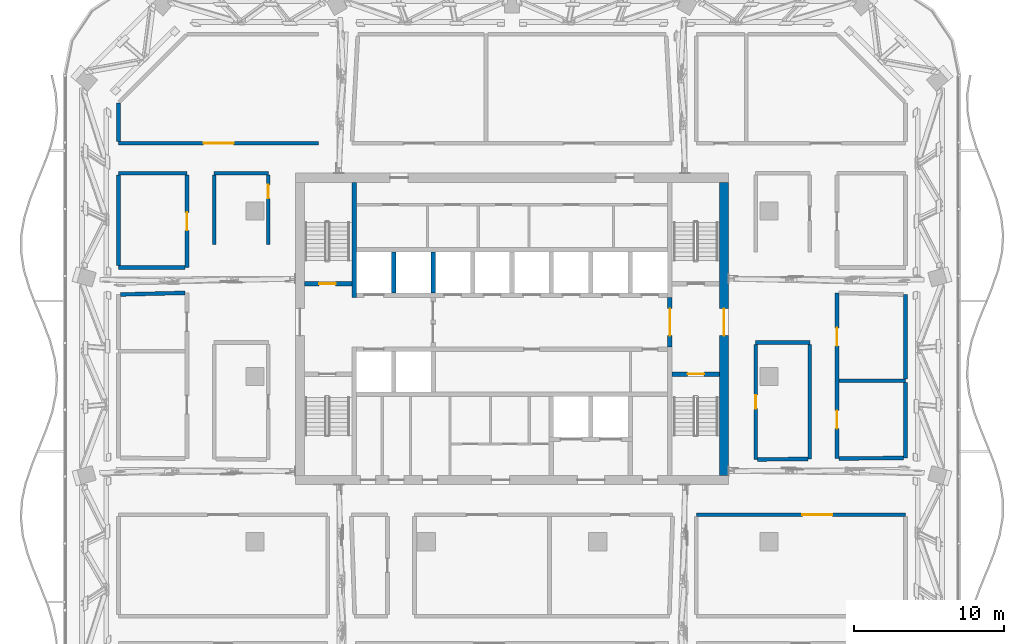
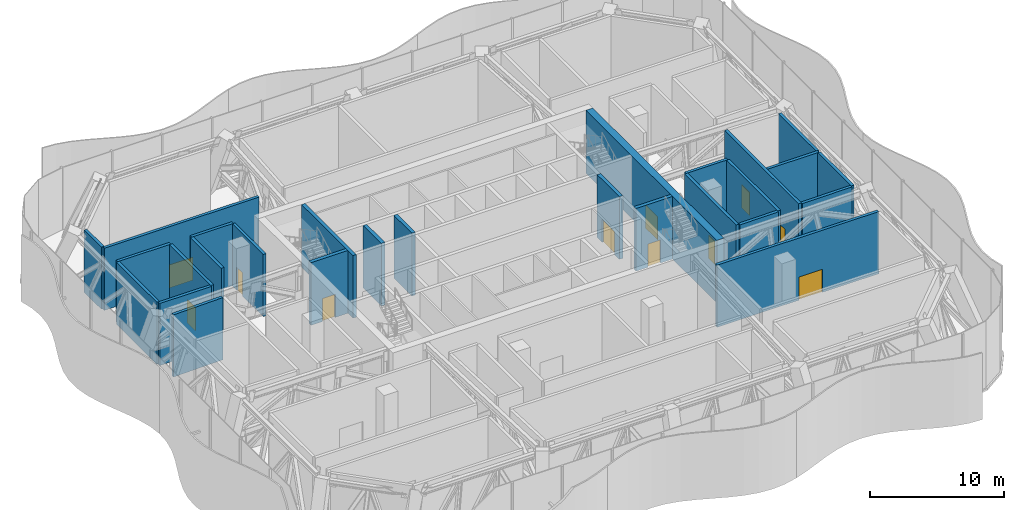
# One storey, part 12 of 29: 27 walls, 11 doors, 11 openings.
"""IFC4 building model written with IfcOpenShell, lengths in metres."""

import ifcopenshell
import ifcopenshell.guid

model = None  # the IFC model being written
_history = None  # IfcOwnerHistory: only IFC2X3 demands one
_inside = {}  # id of a spatial element -> (the spatial element, [elements in it])
_under = {}  # id of a project, library or spatial element -> (it, [spatial elements below it])
_declared = {}  # id of a project -> (the project, [libraries it declares])
_typed = {}  # id of a type object -> (the type object, [elements of that type])
_made_of = {}  # id of a material, layer set ... -> (it, [elements and type objects made of it])


def new_model(schema):
    """Start an empty IFC model of exactly this schema.

    Asked for "IFC4X3", IfcOpenShell would pick the latest addendum, in which some entities
    have other attributes; the version numbers below select the first issue.
    IFC2X3 requires an IfcOwnerHistory on every rooted entity: one is made here for all.
    """
    global model, _history
    if schema == "IFC4X3":
        model = ifcopenshell.file(schema_version=(4, 3, 0, 0))
    else:
        model = ifcopenshell.file(schema=schema)
    _inside.clear()
    _under.clear()
    _declared.clear()
    _typed.clear()
    _made_of.clear()
    _history = None
    if model.schema == "IFC2X3":
        org = make("IfcOrganization", Name="unknown")
        user = make(
            "IfcPersonAndOrganization",
            ThePerson=make("IfcPerson", FamilyName="unknown"),
            TheOrganization=org,
        )
        app = make(
            "IfcApplication",
            ApplicationDeveloper=org,
            Version="unknown",
            ApplicationFullName="unknown",
            ApplicationIdentifier="unknown",
        )
        _history = make(
            "IfcOwnerHistory",
            OwningUser=user,
            OwningApplication=app,
            ChangeAction="ADDED",
            CreationDate=0,
        )
    return model


def make(cls, **values):
    """One entity of the class cls with the attributes given. An attribute that is None is left unset."""
    return model.create_entity(
        cls, **{name: value for name, value in values.items() if value is not None}
    )


def rooted(cls, **values):
    """An entity with a GlobalId (a new one), such as an element, a storey or a relation."""
    return make(cls, GlobalId=ifcopenshell.guid.new(), OwnerHistory=_history, **values)


def si_unit(unit_type, name, prefix=None):
    """IfcSIUnit, for example si_unit("LENGTHUNIT", "METRE", prefix="MILLI")."""
    return make("IfcSIUnit", UnitType=unit_type, Prefix=prefix, Name=name)


def assignment(units):
    """IfcUnitAssignment: the units of a project."""
    return None if units is None else make("IfcUnitAssignment", Units=units)


def point(xyz):
    """IfcCartesianPoint."""
    return None if xyz is None else make("IfcCartesianPoint", Coordinates=xyz)


def direction(xyz):
    """IfcDirection."""
    return None if xyz is None else make("IfcDirection", DirectionRatios=xyz)


def frame(location, z_axis=None, x_axis=None):
    """IfcAxis2Placement3D, a coordinate frame: its origin and axes. An axis left out is left unset."""
    return make(
        "IfcAxis2Placement3D",
        Location=point(location),
        Axis=direction(z_axis),
        RefDirection=direction(x_axis),
    )


def frame_2d(location, x_axis=None):
    """IfcAxis2Placement2D, a coordinate frame in the plane: its origin and x axis."""
    return make(
        "IfcAxis2Placement2D", Location=point(location), RefDirection=direction(x_axis)
    )


def origin():
    """The frame at (0, 0, 0) with its axes left unset."""
    return frame((0.0, 0.0, 0.0))


def place(relative_to, where):
    """IfcLocalPlacement: puts the frame where relative to a parent placement (None: the world)."""
    return make(
        "IfcLocalPlacement", PlacementRelTo=relative_to, RelativePlacement=where
    )


def context(
    kind, dimensions, precision=None, world=None, true_north=None, identifier=None
):
    """IfcGeometricRepresentationContext, for example the 3D "Model" context."""
    return make(
        "IfcGeometricRepresentationContext",
        ContextIdentifier=identifier,
        ContextType=kind,
        CoordinateSpaceDimension=dimensions,
        Precision=precision,
        WorldCoordinateSystem=world,
        TrueNorth=true_north,
    )


def subcontext(parent, identifier, kind, view, scale=None):
    """IfcGeometricRepresentationSubContext, for example "Body" below "Model"."""
    return make(
        "IfcGeometricRepresentationSubContext",
        ContextIdentifier=identifier,
        ContextType=kind,
        ParentContext=parent,
        TargetScale=scale,
        TargetView=view,
    )


def project(units=None, contexts=None):
    """IfcProject with its units and contexts."""
    return rooted(
        "IfcProject",
        Name="project",
        RepresentationContexts=contexts,
        UnitsInContext=assignment(units),
    )


def spatial(cls, under=None, at=None, **own):
    """A site, building, storey or space (cls), placed at a placement, below another one or the project."""
    s = rooted(cls, ObjectPlacement=at, **own)
    if under is not None:
        _under.setdefault(under.id(), (under, []))[1].append(s)
    return s


def profile(cls, at=None, kind="AREA", **sizes):
    """A parametric profile (cls). Its sizes go by their IFC names, for example OverallWidth=200.0."""
    return make(cls, ProfileType=kind, Position=at, **sizes)


def rectangle(**sizes):
    """IfcRectangleProfileDef."""
    return profile("IfcRectangleProfileDef", **sizes)


def extrude(swept, where, along, depth):
    """IfcExtrudedAreaSolid: the profile swept, set in the frame where, extruded along a direction by depth."""
    return make(
        "IfcExtrudedAreaSolid",
        SweptArea=swept,
        Position=where,
        ExtrudedDirection=direction(along),
        Depth=depth,
    )


def shape(context_of_items, identifier, shape_type, items):
    """IfcShapeRepresentation: the items that make up one representation, for example the "Body"."""
    return make(
        "IfcShapeRepresentation",
        ContextOfItems=context_of_items,
        RepresentationIdentifier=identifier,
        RepresentationType=shape_type,
        Items=items,
    )


def material(Name=None, Category=None):
    """IfcMaterial."""
    return make("IfcMaterial", Name=Name, Category=Category)


def layer(
    of_material, thickness, ventilated=None, Name=None, Category=None, Priority=None
):
    """IfcMaterialLayer: one layer of a wall or slab, of a material (None: an air gap)."""
    return make(
        "IfcMaterialLayer",
        Material=of_material,
        LayerThickness=thickness,
        IsVentilated=ventilated,
        Name=Name,
        Category=Category,
        Priority=Priority,
    )


def layer_set(layers, Name=None):
    """IfcMaterialLayerSet."""
    return make("IfcMaterialLayerSet", MaterialLayers=layers, LayerSetName=Name)


def made_of(thing, what):
    """Note that an element or type object is made of a material, layer set ...; save() writes the relation."""
    if what is not None:
        _made_of.setdefault(what.id(), (what, []))[1].append(thing)
    return thing


def type_object(cls, material=None, **own):
    """A type object (cls), such as IfcWallType, which elements share."""
    return made_of(rooted(cls, **own), material)


def element(
    cls,
    number,
    at=None,
    inside=None,
    cuts=None,
    type_object=None,
    material=None,
    context=None,
    identifier="Body",
    shape_type=None,
    held_by="IfcProductDefinitionShape",
    body=None,
    shapes=None,
    **own,
):
    """One element of the class cls, such as IfcWall. Its Tag is "e" and its number.

    at: its placement. inside: the storey or other place that contains it. cuts: it is an
    opening in that element (IfcRelVoidsElement). A single representation is given by context,
    identifier, shape_type and body (its items); several are given by shapes. held_by: the class
    of the entity that holds the representations. save() writes the other relations.
    """
    e = rooted(cls, Tag="e%d" % number, ObjectPlacement=at, **own)
    if body is not None:
        shapes = [shape(context, identifier, shape_type, body)]
    if shapes is not None:
        e.Representation = make(held_by, Representations=shapes)
    if inside is not None:
        _inside.setdefault(inside.id(), (inside, []))[1].append(e)
    if cuts is not None:
        rooted(
            "IfcRelVoidsElement", RelatingBuildingElement=cuts, RelatedOpeningElement=e
        )
    if type_object is not None:
        _typed.setdefault(type_object.id(), (type_object, []))[1].append(e)
    return made_of(e, material)


def fill(opening, filler):
    """IfcRelFillsElement: the door or window that sits in an opening."""
    return rooted(
        "IfcRelFillsElement",
        RelatingOpeningElement=opening,
        RelatedBuildingElement=filler,
    )


def aggregate(whole, parts):
    """IfcRelAggregates: a whole, such as a stair, and the parts it consists of."""
    return rooted("IfcRelAggregates", RelatingObject=whole, RelatedObjects=parts)


def save(model, path):
    """Write the relations noted so far, then the file.

    IfcRelAggregates (storeys below a building ...), IfcRelContainedInSpatialStructure (elements
    in a storey), IfcRelDefinesByType, IfcRelAssociatesMaterial and IfcRelDeclares: one each for
    every whole, place, type object, material and project.
    """
    for whole, parts in _under.values():
        aggregate(whole, parts)
    for where, things in _inside.values():
        rooted(
            "IfcRelContainedInSpatialStructure",
            RelatedElements=things,
            RelatingStructure=where,
        )
    for kind, things in _typed.values():
        rooted("IfcRelDefinesByType", RelatedObjects=things, RelatingType=kind)
    for what, things in _made_of.values():
        rooted("IfcRelAssociatesMaterial", RelatedObjects=things, RelatingMaterial=what)
    for by, libraries in _declared.values():
        rooted("IfcRelDeclares", RelatingContext=by, RelatedDefinitions=libraries)
    model.write(path)


model = new_model("IFC4")

# Units and contexts
model_context = context("Model", 3, precision=1e-05, world=origin(), true_north=direction((0.0, 1.0)))
body_context = subcontext(model_context, "Body", "Model", "MODEL_VIEW")
ifc_project = project(units=[si_unit("LENGTHUNIT", "METRE"), si_unit("AREAUNIT", "SQUARE_METRE"), si_unit("VOLUMEUNIT", "CUBIC_METRE"), si_unit("PLANEANGLEUNIT", "RADIAN"), si_unit("MASSUNIT", "GRAM", prefix="KILO")], contexts=[model_context])

# Site, building, storey
site_placement = place(None, origin())
site = spatial("IfcSite", under=ifc_project, at=site_placement, CompositionType="ELEMENT")
building_placement = place(site_placement, origin())
building = spatial("IfcBuilding", under=site, at=building_placement, Name="Mopane Tessera Tower", CompositionType="ELEMENT")
storey_placement = place(building_placement, frame((0.0, 0.0, 315.39990234375)))
storey = spatial("IfcBuildingStorey", under=building, at=storey_placement, Name="L69", CompositionType="ELEMENT", Elevation=315.39990234375)

# Wall, opening, door
ifc_material_1 = material(Name="Concrete C70/85", Category="concrete")
ifc_layer_1 = layer(ifc_material_1, 0.60009765625)
ifc_layer_set_1 = layer_set([ifc_layer_1], Name="Concrete C70/85")
wall_type_1 = type_object("IfcWallType", Name="Core shear wall 600 mm", PredefinedType="SHEAR", material=ifc_layer_set_1)
wall_1_placement = place(storey_placement, frame((14.10009765625, -6.60009765625, 0.0), z_axis=(0.0, 0.0, 1.0), x_axis=(0.0, 1.0, 0.0)))
wall_1 = element("IfcWall", 1, at=wall_1_placement, inside=storey, type_object=wall_type_1, Name="L69 Core wall east", PredefinedType="SHEAR", context=body_context, shape_type="SweptSolid", body=[
    extrude(rectangle(XDim=19.5, YDim=0.60009765625, at=frame_2d((9.75, 0.0))), origin(), (0.0, 0.0, 1.0), 5.7001953125),
])
opening_1_placement = place(wall_1_placement, frame((9.300048828125, 0.0, 0.0)))
opening_1 = element("IfcOpeningElement", 2, at=opening_1_placement, cuts=wall_1, Name="Opening SD2", PredefinedType="OPENING", context=body_context, shape_type="SweptSolid", body=[
    extrude(rectangle(XDim=1.800048828125, YDim=2.10009765625, at=frame_2d((0.89990234375, 1.050048828125))), frame((0.0, 0.31201171875, 0.0), z_axis=(0.0, -1.0, 0.0), x_axis=(1.0, 0.0, 0.0)), (0.0, 0.0, 1.0), 0.6240234375),
])
ifc_material_2 = material(Name="Steel fire door", Category="steel")
door_type_1 = type_object("IfcDoorType", Name="Core entrance double door 1800 x 2100", OperationType="DOUBLE_DOOR_SINGLE_SWING", PredefinedType="DOOR", material=ifc_material_2)
door_1_placement = place(opening_1_placement, origin())
door_1 = element("IfcDoor", 3, at=door_1_placement, inside=storey, type_object=door_type_1, Name="L69 Core entrance door east", OperationType="DOUBLE_DOOR_SINGLE_SWING", OverallHeight=2.10009765625, OverallWidth=1.800048828125, PredefinedType="DOOR", context=body_context, shape_type="SweptSolid", body=[
    extrude(rectangle(XDim=1.800048828125, YDim=2.10009765625, at=frame_2d((0.89990234375, 1.050048828125))), frame((0.0, 0.02490234375, 0.0), z_axis=(0.0, -1.0, 0.0), x_axis=(1.0, 0.0, 0.0)), (0.0, 0.0, 1.0), 0.050048828125),
])
fill(opening_1, door_1)

# Wall
ifc_material_3 = material(Name="Concrete C60/75", Category="concrete")
ifc_layer_2 = layer(ifc_material_3, 0.300048828125)
ifc_layer_set_2 = layer_set([ifc_layer_2], Name="Concrete C60/75")
wall_type_2 = type_object("IfcWallType", Name="Core spine wall 300 mm", PredefinedType="SHEAR", material=ifc_layer_set_2)
wall_2_placement = place(storey_placement, frame((-10.5, 5.25, 0.0), z_axis=(0.0, 0.0, 1.0), x_axis=(0.0, 1.0, 0.0)))
element("IfcWall", 4, at=wall_2_placement, inside=storey, type_object=wall_type_2, Name="L69 Core spine wall", PredefinedType="SHEAR", context=body_context, shape_type="SweptSolid", body=[
    extrude(rectangle(XDim=7.64990234375, YDim=0.300048828125, at=frame_2d((3.824951171875, 0.0))), origin(), (0.0, 0.0, 1.0), 5.7001953125),
])

# Wall, opening, door
ifc_material_4 = material(Name="Concrete C50/60", Category="concrete")
ifc_layer_3 = layer(ifc_material_4, 0.300048828125)
ifc_layer_set_3 = layer_set([ifc_layer_3], Name="Concrete C50/60")
wall_type_3 = type_object("IfcWallType", Name="Lift and stair shaft wall 300 mm", PredefinedType="SOLIDWALL", material=ifc_layer_set_3)
wall_3_placement = place(storey_placement, frame((-13.800048828125, 6.14990234375, 0.0), z_axis=(0.0, 0.0, 1.0), x_axis=(1.0, 0.0, 0.0)))
wall_3 = element("IfcWall", 5, at=wall_3_placement, inside=storey, type_object=wall_type_3, Name="L69 Stair enclosure wall", PredefinedType="SOLIDWALL", context=body_context, shape_type="SweptSolid", body=[
    extrude(rectangle(XDim=3.150146484375, YDim=0.300048828125, at=frame_2d((1.5751953125, 0.0))), origin(), (0.0, 0.0, 1.0), 5.7001953125),
])
opening_2_placement = place(wall_3_placement, frame((0.97509765625, 0.0, 0.0)))
opening_2 = element("IfcOpeningElement", 6, at=opening_2_placement, cuts=wall_3, Name="Opening SD1", PredefinedType="OPENING", context=body_context, shape_type="SweptSolid", body=[
    extrude(rectangle(XDim=1.10009765625, YDim=2.10009765625, at=frame_2d((0.550048828125, 1.050048828125))), frame((0.0, 0.162109375, 0.0), z_axis=(0.0, -1.0, 0.0), x_axis=(1.0, 0.0, 0.0)), (0.0, 0.0, 1.0), 0.323974609375),
])
ifc_material_5 = material(Name="Steel fire door", Category="steel")
door_type_2 = type_object("IfcDoorType", Name="Stair fire door 1100 x 2100", OperationType="SINGLE_SWING_LEFT", PredefinedType="DOOR", material=ifc_material_5)
door_2_placement = place(opening_2_placement, origin())
door_2 = element("IfcDoor", 7, at=door_2_placement, inside=storey, type_object=door_type_2, Name="L69 Stair door ST2", OperationType="SINGLE_SWING_LEFT", OverallHeight=2.10009765625, OverallWidth=1.10009765625, PredefinedType="DOOR", context=body_context, shape_type="SweptSolid", body=[
    extrude(rectangle(XDim=1.10009765625, YDim=2.10009765625, at=frame_2d((0.550048828125, 1.050048828125))), frame((0.0, 0.02490234375, 0.0), z_axis=(0.0, -1.0, 0.0), x_axis=(1.0, 0.0, 0.0)), (0.0, 0.0, 1.0), 0.050048828125),
])
fill(opening_2, door_2)

wall_4_placement = place(storey_placement, frame((10.64990234375, 0.14990234375, 0.0), z_axis=(0.0, 0.0, 1.0), x_axis=(1.0, 0.0, 0.0)))
wall_4 = element("IfcWall", 8, at=wall_4_placement, inside=storey, type_object=wall_type_3, Name="L69 Stair enclosure wall", PredefinedType="SOLIDWALL", context=body_context, shape_type="SweptSolid", body=[
    extrude(rectangle(XDim=3.150146484375, YDim=0.300048828125, at=frame_2d((1.5751953125, 0.0))), origin(), (0.0, 0.0, 1.0), 5.7001953125),
])
opening_3_placement = place(wall_4_placement, frame((1.02490234375, 0.0, 0.0)))
opening_3 = element("IfcOpeningElement", 9, at=opening_3_placement, cuts=wall_4, Name="Opening SD1", PredefinedType="OPENING", context=body_context, shape_type="SweptSolid", body=[
    extrude(rectangle(XDim=1.10009765625, YDim=2.10009765625, at=frame_2d((0.550048828125, 1.050048828125))), frame((0.0, 0.162109375, 0.0), z_axis=(0.0, -1.0, 0.0), x_axis=(1.0, 0.0, 0.0)), (0.0, 0.0, 1.0), 0.323974609375),
])
door_3_placement = place(opening_3_placement, origin())
door_3 = element("IfcDoor", 10, at=door_3_placement, inside=storey, type_object=door_type_2, Name="L69 Stair door ST3", OperationType="SINGLE_SWING_RIGHT", OverallHeight=2.10009765625, OverallWidth=1.10009765625, PredefinedType="DOOR", context=body_context, shape_type="SweptSolid", body=[
    extrude(rectangle(XDim=1.10009765625, YDim=2.10009765625, at=frame_2d((0.550048828125, 1.050048828125))), frame((0.0, 0.02490234375, 0.0), z_axis=(0.0, -1.0, 0.0), x_axis=(1.0, 0.0, 0.0)), (0.0, 0.0, 1.0), 0.050048828125),
])
fill(opening_3, door_3)

# Walls
for number, where, z_axis, x_axis, name in (
    (11, (-7.875, 5.550048828125, 0.0), (0.0, 0.0, 1.0), (0.0, 1.0, 0.0), "L69 Lift shaft wall"),
    (12, (-5.25, 5.550048828125, 0.0), (0.0, 0.0, 1.0), (0.0, 1.0, 0.0), "L69 Lift shaft wall"),
):
    element("IfcWall", number, at=place(storey_placement, frame(where, z_axis=z_axis, x_axis=x_axis)), inside=storey, type_object=wall_type_3, Name=name, PredefinedType="SOLIDWALL", context=body_context, shape_type="SweptSolid", body=[
        extrude(rectangle(XDim=2.699951171875, YDim=0.300048828125, at=frame_2d((1.35009765625, 0.0))), origin(), (0.0, 0.0, 1.0), 5.7001953125),
    ])

# Wall, opening, door
ifc_material_6 = material(Name="Concrete C50/60", Category="concrete")
ifc_layer_4 = layer(ifc_material_6, 0.300048828125)
ifc_layer_set_4 = layer_set([ifc_layer_4], Name="Concrete C50/60")
wall_type_4 = type_object("IfcWallType", Name="Lobby and refuge room wall 300 mm", PredefinedType="SOLIDWALL", material=ifc_layer_set_4)
wall_5_placement = place(storey_placement, frame((10.5, 1.949951171875, 0.0), z_axis=(0.0, 0.0, 1.0), x_axis=(0.0, 1.0, 0.0)))
wall_5 = element("IfcWall", 13, at=wall_5_placement, inside=storey, type_object=wall_type_4, Name="L69 Refuge room wall", PredefinedType="SOLIDWALL", context=body_context, shape_type="SweptSolid", body=[
    extrude(rectangle(XDim=3.300048828125, YDim=0.300048828125, at=frame_2d((1.64990234375, 0.0))), origin(), (0.0, 0.0, 1.0), 5.7001953125),
])
opening_4_placement = place(wall_5_placement, frame((0.75, 0.0, 0.0)))
opening_4 = element("IfcOpeningElement", 14, at=opening_4_placement, cuts=wall_5, Name="Opening SD4", PredefinedType="OPENING", context=body_context, shape_type="SweptSolid", body=[
    extrude(rectangle(XDim=1.800048828125, YDim=2.10009765625, at=frame_2d((0.89990234375, 1.050048828125))), frame((0.0, 0.162109375, 0.0), z_axis=(0.0, -1.0, 0.0), x_axis=(1.0, 0.0, 0.0)), (0.0, 0.0, 1.0), 0.323974609375),
])
ifc_material_7 = material(Name="Steel fire door", Category="steel")
door_type_3 = type_object("IfcDoorType", Name="Refuge room double door 1800 x 2100", OperationType="DOUBLE_DOOR_SINGLE_SWING", PredefinedType="DOOR", material=ifc_material_7)
door_4_placement = place(opening_4_placement, origin())
door_4 = element("IfcDoor", 15, at=door_4_placement, inside=storey, type_object=door_type_3, Name="L69 Refuge room door", OperationType="DOUBLE_DOOR_SINGLE_SWING", OverallHeight=2.10009765625, OverallWidth=1.800048828125, PredefinedType="DOOR", context=body_context, shape_type="SweptSolid", body=[
    extrude(rectangle(XDim=1.800048828125, YDim=2.10009765625, at=frame_2d((0.89990234375, 1.050048828125))), frame((0.0, 0.02490234375, 0.0), z_axis=(0.0, -1.0, 0.0), x_axis=(1.0, 0.0, 0.0)), (0.0, 0.0, 1.0), 0.050048828125),
])
fill(opening_4, door_4)

ifc_material_8 = material(Name="Plastered concrete blockwork C20/25", Category="masonry")
ifc_layer_5 = layer(ifc_material_8, 0.25)
ifc_layer_set_5 = layer_set([ifc_layer_5], Name="Plastered concrete blockwork C20/25")
wall_type_5 = type_object("IfcWallType", Name="Plastered blockwork wall 250, rated EI 120", PredefinedType="PARTITIONING", material=ifc_layer_set_5)
wall_6_placement = place(storey_placement, frame((12.25, -9.199951171875, 0.0), z_axis=(0.0, 0.0, 1.0), x_axis=(1.0, 0.0, 0.0)))
wall_6 = element("IfcWall", 16, at=wall_6_placement, inside=storey, type_object=wall_type_5, Name="Partition L69:014", PredefinedType="PARTITIONING", context=body_context, shape_type="SweptSolid", body=[
    extrude(rectangle(XDim=13.909912109375, YDim=0.25, at=frame_2d((6.955078125, 0.0))), origin(), (0.0, 0.0, 1.0), 5.650146484375),
])
opening_5_placement = place(wall_6_placement, frame((7.054931640625, 0.0, 0.0)))
opening_5 = element("IfcOpeningElement", 17, at=opening_5_placement, cuts=wall_6, Name="Opening L69-24", PredefinedType="OPENING", context=body_context, shape_type="SweptSolid", body=[
    extrude(rectangle(XDim=2.0, YDim=2.10009765625, at=frame_2d((1.0, 1.050048828125))), frame((0.0, 0.136962890625, 0.0), z_axis=(0.0, -1.0, 0.0), x_axis=(1.0, 0.0, 0.0)), (0.0, 0.0, 1.0), 0.27392578125),
])
ifc_material_9 = material(Name="Timber veneered steel-framed fire door", Category="steel")
door_type_4 = type_object("IfcDoorType", Name="Fire door pair FD120 2000 x 2100", OperationType="DOUBLE_DOOR_SINGLE_SWING", PredefinedType="DOOR", material=ifc_material_9)
door_5_placement = place(opening_5_placement, origin())
door_5 = element("IfcDoor", 18, at=door_5_placement, inside=storey, type_object=door_type_4, Name="Door L69-24", ObjectType="D25B", OperationType="DOUBLE_DOOR_SINGLE_SWING", OverallHeight=2.10009765625, OverallWidth=2.0, PredefinedType="DOOR", context=body_context, shape_type="SweptSolid", body=[
    extrude(rectangle(XDim=2.0, YDim=2.10009765625, at=frame_2d((1.0, 1.050048828125))), frame((0.0, 0.02490234375, 0.0), z_axis=(0.0, -1.0, 0.0), x_axis=(1.0, 0.0, 0.0)), (0.0, 0.0, 1.0), 0.050048828125),
])
fill(opening_5, door_5)

# Walls
wall_7_placement = place(storey_placement, frame((21.72509765625, -0.300048828125, 0.0), z_axis=(0.0, 0.0, 1.0), x_axis=(1.0, 0.0, 0.0)))
element("IfcWall", 19, at=wall_7_placement, inside=storey, type_object=wall_type_5, Name="Partition L69:015", PredefinedType="PARTITIONING", context=body_context, shape_type="SweptSolid", body=[
    extrude(rectangle(XDim=4.434814453125, YDim=0.25, at=frame_2d((2.21728515625, 0.0))), origin(), (0.0, 0.0, 1.0), 5.650146484375),
])
wall_8_placement = place(storey_placement, frame((16.199951171875, 2.25, 0.0), z_axis=(0.0, 0.0, 1.0), x_axis=(1.0, 0.0, 0.0)))
element("IfcWall", 20, at=wall_8_placement, inside=storey, type_object=wall_type_5, Name="Partition L69:018", PredefinedType="PARTITIONING", context=body_context, shape_type="SweptSolid", body=[
    extrude(rectangle(XDim=3.60009765625, YDim=0.25, at=frame_2d((1.800048828125, 0.0))), origin(), (0.0, 0.0, 1.0), 5.650146484375),
])
wall_9_placement = place(storey_placement, frame((-26.159912109375, 7.22998046875, 0.0), z_axis=(0.0, 0.0, 1.0), x_axis=(1.0, 0.0, 0.0)))
element("IfcWall", 21, at=wall_9_placement, inside=storey, type_object=wall_type_5, Name="Partition L69:019", PredefinedType="PARTITIONING", context=body_context, shape_type="SweptSolid", body=[
    extrude(rectangle(XDim=4.434814453125, YDim=0.25, at=frame_2d((2.21728515625, 0.0))), origin(), (0.0, 0.0, 1.0), 5.650146484375),
])
wall_10_placement = place(storey_placement, frame((-26.159912109375, 13.5, 0.0), z_axis=(0.0, 0.0, 1.0), x_axis=(1.0, 0.0, 0.0)))
element("IfcWall", 22, at=wall_10_placement, inside=storey, type_object=wall_type_5, Name="Partition L69:021", PredefinedType="PARTITIONING", context=body_context, shape_type="SweptSolid", body=[
    extrude(rectangle(XDim=4.559814453125, YDim=0.25, at=frame_2d((2.27978515625, 0.0))), origin(), (0.0, 0.0, 1.0), 5.650146484375),
])
wall_11_placement = place(storey_placement, frame((-19.800048828125, 13.5, 0.0), z_axis=(0.0, 0.0, 1.0), x_axis=(1.0, 0.0, 0.0)))
element("IfcWall", 23, at=wall_11_placement, inside=storey, type_object=wall_type_5, Name="Partition L69:022", PredefinedType="PARTITIONING", context=body_context, shape_type="SweptSolid", body=[
    extrude(rectangle(XDim=3.60009765625, YDim=0.25, at=frame_2d((1.800048828125, 0.0))), origin(), (0.0, 0.0, 1.0), 5.650146484375),
])

# Wall, opening, door
wall_12_placement = place(storey_placement, frame((-26.159912109375, 15.5, 0.0), z_axis=(0.0, 0.0, 1.0), x_axis=(1.0, 0.0, 0.0)))
wall_12 = element("IfcWall", 24, at=wall_12_placement, inside=storey, type_object=wall_type_5, Name="Partition L69:025", PredefinedType="PARTITIONING", context=body_context, shape_type="SweptSolid", body=[
    extrude(rectangle(XDim=13.304931640625, YDim=0.25, at=frame_2d((6.65234375, 0.0))), origin(), (0.0, 0.0, 1.0), 5.650146484375),
])
opening_6_placement = place(wall_12_placement, frame((5.652587890625, 0.0, 0.0)))
opening_6 = element("IfcOpeningElement", 25, at=opening_6_placement, cuts=wall_12, Name="Opening L69-12", PredefinedType="OPENING", context=body_context, shape_type="SweptSolid", body=[
    extrude(rectangle(XDim=2.0, YDim=2.10009765625, at=frame_2d((1.0, 1.050048828125))), frame((0.0, 0.136962890625, 0.0), z_axis=(0.0, -1.0, 0.0), x_axis=(1.0, 0.0, 0.0)), (0.0, 0.0, 1.0), 0.27392578125),
])
door_6_placement = place(opening_6_placement, origin())
door_6 = element("IfcDoor", 26, at=door_6_placement, inside=storey, type_object=door_type_4, Name="Door L69-12", ObjectType="D25B", OperationType="DOUBLE_DOOR_SINGLE_SWING", OverallHeight=2.10009765625, OverallWidth=2.0, PredefinedType="DOOR", context=body_context, shape_type="SweptSolid", body=[
    extrude(rectangle(XDim=2.0, YDim=2.10009765625, at=frame_2d((1.0, 1.050048828125))), frame((0.0, 0.02490234375, 0.0), z_axis=(0.0, -1.0, 0.0), x_axis=(1.0, 0.0, 0.0)), (0.0, 0.0, 1.0), 0.050048828125),
])
fill(opening_6, door_6)

# Walls
wall_13_placement = place(storey_placement, frame((-26.159912109375, 7.35498046875, 0.0), z_axis=(0.0, 0.0, 1.0), x_axis=(0.0, 1.0, 0.0)))
element("IfcWall", 27, at=wall_13_placement, inside=storey, type_object=wall_type_5, Name="Partition L69:037", PredefinedType="PARTITIONING", context=body_context, shape_type="SweptSolid", body=[
    extrude(rectangle(XDim=6.02001953125, YDim=0.25, at=frame_2d((3.010009765625, 0.0))), origin(), (0.0, 0.0, 1.0), 5.650146484375),
])
wall_14_placement = place(storey_placement, frame((-26.159912109375, 15.625, 0.0), z_axis=(0.0, 0.0, 1.0), x_axis=(0.0, 1.0, 0.0)))
element("IfcWall", 28, at=wall_14_placement, inside=storey, type_object=wall_type_5, Name="Partition L69:038", PredefinedType="PARTITIONING", context=body_context, shape_type="SweptSolid", body=[
    extrude(rectangle(XDim=2.56005859375, YDim=0.25, at=frame_2d((1.280029296875, 0.0))), origin(), (0.0, 0.0, 1.0), 5.650146484375),
])

# Wall, opening, door
wall_15_placement = place(storey_placement, frame((-21.60009765625, 7.22998046875, 0.0), z_axis=(0.0, 0.0, 1.0), x_axis=(0.0, 1.0, 0.0)))
wall_15 = element("IfcWall", 29, at=wall_15_placement, inside=storey, type_object=wall_type_5, Name="Partition L69:040", PredefinedType="PARTITIONING", context=body_context, shape_type="SweptSolid", body=[
    extrude(rectangle(XDim=6.14501953125, YDim=0.25, at=frame_2d((3.072509765625, 0.0))), origin(), (0.0, 0.0, 1.0), 5.650146484375),
])
opening_7_placement = place(wall_15_placement, frame((2.472412109375, 0.0, 0.0)))
opening_7 = element("IfcOpeningElement", 30, at=opening_7_placement, cuts=wall_15, Name="Opening L69-01", PredefinedType="OPENING", context=body_context, shape_type="SweptSolid", body=[
    extrude(rectangle(XDim=1.199951171875, YDim=2.10009765625, at=frame_2d((0.60009765625, 1.050048828125))), frame((0.0, 0.136962890625, 0.0), z_axis=(0.0, -1.0, 0.0), x_axis=(1.0, 0.0, 0.0)), (0.0, 0.0, 1.0), 0.27392578125),
])
ifc_material_10 = material(Name="Timber veneered steel-framed fire door", Category="steel")
door_type_5 = type_object("IfcDoorType", Name="Fire door FD120 1200 x 2100", OperationType="SINGLE_SWING_LEFT", PredefinedType="DOOR", material=ifc_material_10)
door_7_placement = place(opening_7_placement, origin())
door_7 = element("IfcDoor", 31, at=door_7_placement, inside=storey, type_object=door_type_5, Name="Door L69-01", ObjectType="D15B", OperationType="SINGLE_SWING_LEFT", OverallHeight=2.10009765625, OverallWidth=1.199951171875, PredefinedType="DOOR", context=body_context, shape_type="SweptSolid", body=[
    extrude(rectangle(XDim=1.199951171875, YDim=2.10009765625, at=frame_2d((0.60009765625, 1.050048828125))), frame((0.0, 0.02490234375, 0.0), z_axis=(0.0, -1.0, 0.0), x_axis=(1.0, 0.0, 0.0)), (0.0, 0.0, 1.0), 0.050048828125),
])
fill(opening_7, door_7)

# Wall
wall_16_placement = place(storey_placement, frame((-19.800048828125, 8.77490234375, 0.0), z_axis=(0.0, 0.0, 1.0), x_axis=(0.0, 1.0, 0.0)))
element("IfcWall", 32, at=wall_16_placement, inside=storey, type_object=wall_type_5, Name="Partition L69:042", PredefinedType="PARTITIONING", context=body_context, shape_type="SweptSolid", body=[
    extrude(rectangle(XDim=4.60009765625, YDim=0.25, at=frame_2d((2.300048828125, 0.0))), origin(), (0.0, 0.0, 1.0), 5.650146484375),
])

# Wall, opening, door
wall_17_placement = place(storey_placement, frame((-16.199951171875, 8.77490234375, 0.0), z_axis=(0.0, 0.0, 1.0), x_axis=(0.0, 1.0, 0.0)))
wall_17 = element("IfcWall", 33, at=wall_17_placement, inside=storey, type_object=wall_type_5, Name="Partition L69:044", PredefinedType="PARTITIONING", context=body_context, shape_type="SweptSolid", body=[
    extrude(rectangle(XDim=4.60009765625, YDim=0.25, at=frame_2d((2.300048828125, 0.0))), origin(), (0.0, 0.0, 1.0), 5.650146484375),
])
opening_8_placement = place(wall_17_placement, frame((3.050048828125, 0.0, 0.0)))
opening_8 = element("IfcOpeningElement", 34, at=opening_8_placement, cuts=wall_17, Name="Opening L69-18", PredefinedType="OPENING", context=body_context, shape_type="SweptSolid", body=[
    extrude(rectangle(XDim=0.89990234375, YDim=2.10009765625, at=frame_2d((0.449951171875, 1.050048828125))), frame((0.0, 0.136962890625, 0.0), z_axis=(0.0, -1.0, 0.0), x_axis=(1.0, 0.0, 0.0)), (0.0, 0.0, 1.0), 0.27392578125),
])
ifc_material_11 = material(Name="Timber veneered steel-framed fire door", Category="steel")
door_type_6 = type_object("IfcDoorType", Name="Fire door FD120 900 x 2100", OperationType="SINGLE_SWING_LEFT", PredefinedType="DOOR", material=ifc_material_11)
door_8_placement = place(opening_8_placement, origin())
door_8 = element("IfcDoor", 35, at=door_8_placement, inside=storey, type_object=door_type_6, Name="Door L69-18", ObjectType="D10B", OperationType="SINGLE_SWING_RIGHT", OverallHeight=2.10009765625, OverallWidth=0.89990234375, PredefinedType="DOOR", context=body_context, shape_type="SweptSolid", body=[
    extrude(rectangle(XDim=0.89990234375, YDim=2.10009765625, at=frame_2d((0.449951171875, 1.050048828125))), frame((0.0, 0.02490234375, 0.0), z_axis=(0.0, -1.0, 0.0), x_axis=(1.0, 0.0, 0.0)), (0.0, 0.0, 1.0), 0.050048828125),
])
fill(opening_8, door_8)

wall_18_placement = place(storey_placement, frame((16.199951171875, -5.530029296875, 0.0), z_axis=(0.0, 0.0, 1.0), x_axis=(0.0, 1.0, 0.0)))
wall_18 = element("IfcWall", 36, at=wall_18_placement, inside=storey, type_object=wall_type_5, Name="Partition L69:056", PredefinedType="PARTITIONING", context=body_context, shape_type="SweptSolid", body=[
    extrude(rectangle(XDim=7.655029296875, YDim=0.25, at=frame_2d((3.82763671875, 0.0))), origin(), (0.0, 0.0, 1.0), 5.650146484375),
])
opening_9_placement = place(wall_18_placement, frame((3.37744140625, 0.0, 0.0)))
opening_9 = element("IfcOpeningElement", 37, at=opening_9_placement, cuts=wall_18, Name="Opening L69-14", PredefinedType="OPENING", context=body_context, shape_type="SweptSolid", body=[
    extrude(rectangle(XDim=0.89990234375, YDim=2.10009765625, at=frame_2d((0.449951171875, 1.050048828125))), frame((0.0, 0.136962890625, 0.0), z_axis=(0.0, -1.0, 0.0), x_axis=(1.0, 0.0, 0.0)), (0.0, 0.0, 1.0), 0.27392578125),
])
door_9_placement = place(opening_9_placement, origin())
door_9 = element("IfcDoor", 38, at=door_9_placement, inside=storey, type_object=door_type_6, Name="Door L69-14", ObjectType="D10B", OperationType="SINGLE_SWING_LEFT", OverallHeight=2.10009765625, OverallWidth=0.89990234375, PredefinedType="DOOR", context=body_context, shape_type="SweptSolid", body=[
    extrude(rectangle(XDim=0.89990234375, YDim=2.10009765625, at=frame_2d((0.449951171875, 1.050048828125))), frame((0.0, 0.02490234375, 0.0), z_axis=(0.0, -1.0, 0.0), x_axis=(1.0, 0.0, 0.0)), (0.0, 0.0, 1.0), 0.050048828125),
])
fill(opening_9, door_9)

# Wall
wall_19_placement = place(storey_placement, frame((19.800048828125, -5.489990234375, 0.0), z_axis=(0.0, 0.0, 1.0), x_axis=(0.0, 1.0, 0.0)))
element("IfcWall", 39, at=wall_19_placement, inside=storey, type_object=wall_type_5, Name="Partition L69:058", PredefinedType="PARTITIONING", context=body_context, shape_type="SweptSolid", body=[
    extrude(rectangle(XDim=7.614990234375, YDim=0.25, at=frame_2d((3.8076171875, 0.0))), origin(), (0.0, 0.0, 1.0), 5.650146484375),
])

# Wall, openings, doors
wall_20_placement = place(storey_placement, frame((21.60009765625, -5.469970703125, 0.0), z_axis=(0.0, 0.0, 1.0), x_axis=(0.0, 1.0, 0.0)))
wall_20 = element("IfcWall", 40, at=wall_20_placement, inside=storey, type_object=wall_type_5, Name="Partition L69:060", PredefinedType="PARTITIONING", context=body_context, shape_type="SweptSolid", body=[
    extrude(rectangle(XDim=11.02001953125, YDim=0.25, at=frame_2d((5.510009765625, 0.0))), origin(), (0.0, 0.0, 1.0), 5.650146484375),
])
opening_10_placement = place(wall_20_placement, frame((1.985107421875, 0.0, 0.0)))
opening_10 = element("IfcOpeningElement", 41, at=opening_10_placement, cuts=wall_20, Name="Opening L69-05", PredefinedType="OPENING", context=body_context, shape_type="SweptSolid", body=[
    extrude(rectangle(XDim=1.199951171875, YDim=2.10009765625, at=frame_2d((0.60009765625, 1.050048828125))), frame((0.0, 0.136962890625, 0.0), z_axis=(0.0, -1.0, 0.0), x_axis=(1.0, 0.0, 0.0)), (0.0, 0.0, 1.0), 0.27392578125),
])
opening_11_placement = place(wall_20_placement, frame((7.4951171875, 0.0, 0.0)))
opening_11 = element("IfcOpeningElement", 42, at=opening_11_placement, cuts=wall_20, Name="Opening L69-06", PredefinedType="OPENING", context=body_context, shape_type="SweptSolid", body=[
    extrude(rectangle(XDim=1.199951171875, YDim=2.10009765625, at=frame_2d((0.60009765625, 1.050048828125))), frame((0.0, 0.136962890625, 0.0), z_axis=(0.0, -1.0, 0.0), x_axis=(1.0, 0.0, 0.0)), (0.0, 0.0, 1.0), 0.27392578125),
])
door_10_placement = place(opening_10_placement, origin())
door_10 = element("IfcDoor", 43, at=door_10_placement, inside=storey, type_object=door_type_5, Name="Door L69-05", ObjectType="D15B", OperationType="SINGLE_SWING_RIGHT", OverallHeight=2.10009765625, OverallWidth=1.199951171875, PredefinedType="DOOR", context=body_context, shape_type="SweptSolid", body=[
    extrude(rectangle(XDim=1.199951171875, YDim=2.10009765625, at=frame_2d((0.60009765625, 1.050048828125))), frame((0.0, 0.02490234375, 0.0), z_axis=(0.0, -1.0, 0.0), x_axis=(1.0, 0.0, 0.0)), (0.0, 0.0, 1.0), 0.050048828125),
])
fill(opening_10, door_10)
door_11_placement = place(opening_11_placement, origin())
door_11 = element("IfcDoor", 44, at=door_11_placement, inside=storey, type_object=door_type_5, Name="Door L69-06", ObjectType="D15B", OperationType="SINGLE_SWING_LEFT", OverallHeight=2.10009765625, OverallWidth=1.199951171875, PredefinedType="DOOR", context=body_context, shape_type="SweptSolid", body=[
    extrude(rectangle(XDim=1.199951171875, YDim=2.10009765625, at=frame_2d((0.60009765625, 1.050048828125))), frame((0.0, 0.02490234375, 0.0), z_axis=(0.0, -1.0, 0.0), x_axis=(1.0, 0.0, 0.0)), (0.0, 0.0, 1.0), 0.050048828125),
])
fill(opening_11, door_11)

# Walls
wall_21_placement = place(storey_placement, frame((26.159912109375, -5.425048828125, 0.0), z_axis=(0.0, 0.0, 1.0), x_axis=(0.0, 1.0, 0.0)))
element("IfcWall", 45, at=wall_21_placement, inside=storey, type_object=wall_type_5, Name="Partition L69:064", PredefinedType="PARTITIONING", context=body_context, shape_type="SweptSolid", body=[
    extrude(rectangle(XDim=5.0, YDim=0.25, at=frame_2d((2.5, 0.0))), origin(), (0.0, 0.0, 1.0), 5.650146484375),
])
wall_22_placement = place(storey_placement, frame((26.159912109375, -0.175048828125, 0.0), z_axis=(0.0, 0.0, 1.0), x_axis=(0.0, 1.0, 0.0)))
element("IfcWall", 46, at=wall_22_placement, inside=storey, type_object=wall_type_5, Name="Partition L69:065", PredefinedType="PARTITIONING", context=body_context, shape_type="SweptSolid", body=[
    extrude(rectangle(XDim=5.610107421875, YDim=0.25, at=frame_2d((2.80517578125, 0.0))), origin(), (0.0, 0.0, 1.0), 5.650146484375),
])
wall_23_placement = place(storey_placement, frame((-26.030029296875, 5.43798828125, 0.0), z_axis=(0.0, 0.0, 1.0), x_axis=(0.999678109138, 0.025370812172, 0.0)))
element("IfcWall", 47, at=wall_23_placement, inside=storey, type_object=wall_type_5, Name="Partition L69:068", PredefinedType="PARTITIONING", context=body_context, shape_type="SweptSolid", body=[
    extrude(rectangle(XDim=4.301513671875, YDim=0.25, at=frame_2d((2.15087890625, 0.0))), origin(), (0.0, 0.0, 1.0), 5.650146484375),
])
wall_24_placement = place(storey_placement, frame((26.030029296875, -5.426025390625, 0.0), z_axis=(0.0, 0.0, 1.0), x_axis=(-0.999950077521, -0.009992120232, 0.0)))
element("IfcWall", 48, at=wall_24_placement, inside=storey, type_object=wall_type_5, Name="Partition L69:071", PredefinedType="PARTITIONING", context=body_context, shape_type="SweptSolid", body=[
    extrude(rectangle(XDim=4.30029296875, YDim=0.25, at=frame_2d((2.150146484375, 0.0))), origin(), (0.0, 0.0, 1.0), 5.650146484375),
])
wall_25_placement = place(storey_placement, frame((19.669921875, -5.490966796875, 0.0), z_axis=(0.0, 0.0, 1.0), x_axis=(-0.999934986335, -0.011402767388, 0.0)))
element("IfcWall", 49, at=wall_25_placement, inside=storey, type_object=wall_type_5, Name="Partition L69:077", PredefinedType="PARTITIONING", context=body_context, shape_type="SweptSolid", body=[
    extrude(rectangle(XDim=3.340087890625, YDim=0.25, at=frame_2d((1.669921875, 0.0))), origin(), (0.0, 0.0, 1.0), 5.650146484375),
])

save(model, "model.ifc")
